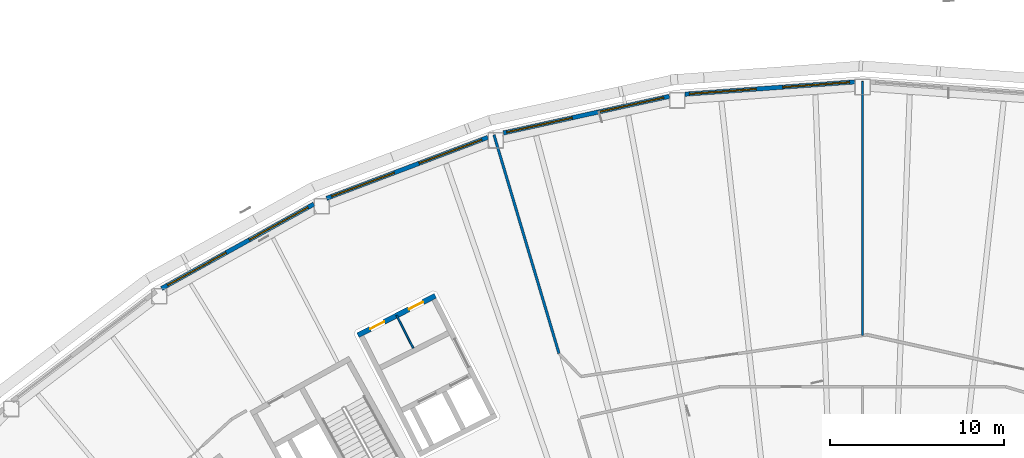
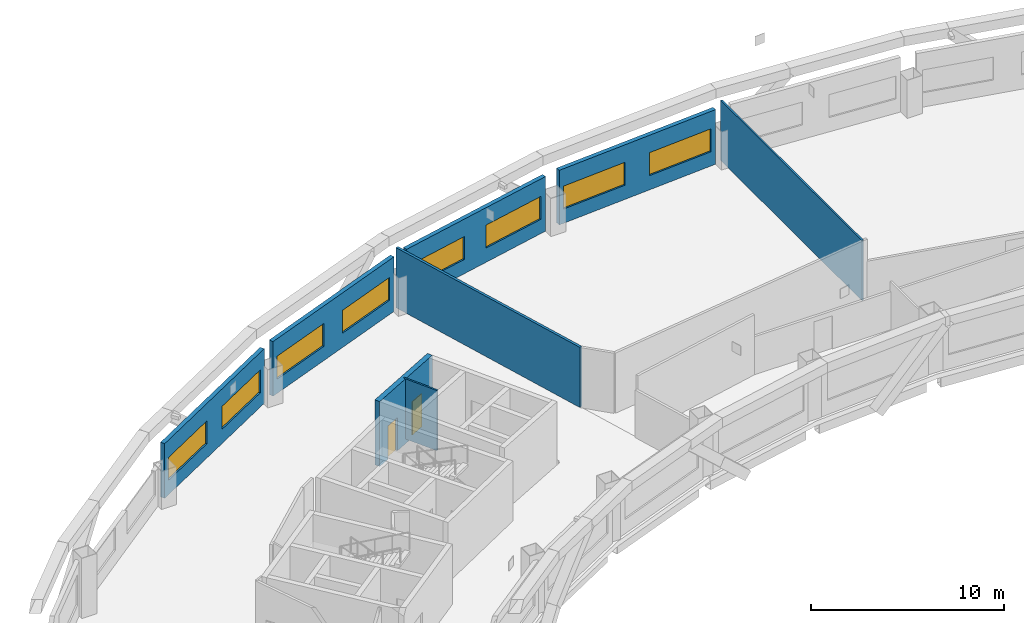
# One storey, part 7 of 20: 8 walls, 8 windows, 2 doors, 10 openings.
"""IFC4 building model written with IfcOpenShell, lengths in metres."""

from ifc_helpers import new_model, si_unit, direction, frame, frame_2d, origin, place, context, subcontext, project, spatial, rectangle, extrude, material, layer, layer_set, type_object, element, fill, save


model = new_model("IFC4")

# Units and contexts
model_context = context("Model", 3, precision=1e-05, world=origin(), true_north=direction((0.0, 1.0)))
body_context = subcontext(model_context, "Body", "Model", "MODEL_VIEW")
ifc_project = project(units=[si_unit("LENGTHUNIT", "METRE"), si_unit("AREAUNIT", "SQUARE_METRE"), si_unit("VOLUMEUNIT", "CUBIC_METRE"), si_unit("PLANEANGLEUNIT", "RADIAN"), si_unit("MASSUNIT", "GRAM", prefix="KILO")], contexts=[model_context])

# Site, building, storey
site_placement = place(None, origin())
site = spatial("IfcSite", under=ifc_project, at=site_placement, CompositionType="ELEMENT")
building_placement = place(site_placement, origin())
building = spatial("IfcBuilding", under=site, at=building_placement, Name="Tuul Gate Civic Tower", CompositionType="ELEMENT")
storey_placement = place(building_placement, frame((0.0, 0.0, 197.300048828125)))
storey = spatial("IfcBuildingStorey", under=building, at=storey_placement, Name="Level 45", CompositionType="ELEMENT", Elevation=197.300048828125)

# Wall
ifc_material_1 = material(Name="Gypsum board partition")
ifc_layer_1 = layer(ifc_material_1, 0.14990234375)
ifc_layer_set_1 = layer_set([ifc_layer_1], Name="Gypsum board partition")
wall_type_1 = type_object("IfcWallType", Name="Corridor wall P150", PredefinedType="PARTITIONING", material=ifc_layer_set_1)
wall_1_placement = place(storey_placement, frame((-20.18115234375, 10.863525390625, 0.0), z_axis=(0.0, 0.0, 1.0), x_axis=(0.285216495804, -0.95846311902, 0.0)))
element("IfcWall", 1, at=wall_1_placement, inside=storey, type_object=wall_type_1, Name="p027", PredefinedType="PARTITIONING", context=body_context, shape_type="SweptSolid", body=[
    extrude(rectangle(XDim=13.09814453125, YDim=0.14990234375, at=frame_2d((6.549072265625, 0.0))), origin(), (0.0, 0.0, 1.0), 3.800048828125),
])

# Wall, openings, windows
ifc_material_2 = material(Name="Precast concrete C40/50", Category="concrete")
ifc_layer_2 = layer(ifc_material_2, 0.25)
ifc_layer_set_2 = layer_set([ifc_layer_2], Name="Precast concrete C40/50")
wall_type_2 = type_object("IfcWallType", Name="External wall", PredefinedType="STANDARD", material=ifc_layer_set_2)
wall_2_placement = place(storey_placement, frame((0.5400390625, 13.9091796875, 0.0), z_axis=(0.0, 0.0, 1.0), x_axis=(-0.997386439479, -0.072251576758, 0.0)))
wall_2 = element("IfcWall", 2, at=wall_2_placement, inside=storey, type_object=wall_type_2, Name="External wall", PredefinedType="STANDARD", context=body_context, shape_type="SweptSolid", body=[
    extrude(rectangle(XDim=9.775634765625, YDim=0.25, at=frame_2d((4.8876953125, 0.0))), origin(), (0.0, 0.0, 1.0), 3.449951171875),
])
opening_1_placement = place(wall_2_placement, frame((0.301025390625, 0.0, 0.89990234375)))
opening_1 = element("IfcOpeningElement", 3, at=opening_1_placement, cuts=wall_2, Name="Opening W103", PredefinedType="OPENING", context=body_context, shape_type="SweptSolid", body=[
    extrude(rectangle(XDim=3.85009765625, YDim=1.449951171875, at=frame_2d((1.925048828125, 0.72509765625))), frame((0.0, 0.135009765625, 0.0), z_axis=(0.0, -1.0, 0.0), x_axis=(1.0, 0.0, 0.0)), (0.0, 0.0, 1.0), 0.27001953125),
])
opening_2_placement = place(wall_2_placement, frame((5.672119140625, 0.0, 0.89990234375)))
opening_2 = element("IfcOpeningElement", 4, at=opening_2_placement, cuts=wall_2, Name="Opening W103", PredefinedType="OPENING", context=body_context, shape_type="SweptSolid", body=[
    extrude(rectangle(XDim=3.85009765625, YDim=1.449951171875, at=frame_2d((1.925048828125, 0.72509765625))), frame((0.0, 0.135009765625, 0.0), z_axis=(0.0, -1.0, 0.0), x_axis=(1.0, 0.0, 0.0)), (0.0, 0.0, 1.0), 0.27001953125),
])
ifc_material_3 = material(Name="Glass", Category="glass")
window_type = type_object("IfcWindowType", Name="Window W103 3850 x 1450", PartitioningType="SINGLE_PANEL", PredefinedType="WINDOW", material=ifc_material_3)
window_1_placement = place(opening_1_placement, origin())
window_1 = element("IfcWindow", 5, at=window_1_placement, inside=storey, type_object=window_type, Name="Window", OverallHeight=1.449951171875, OverallWidth=3.85009765625, PartitioningType="SINGLE_PANEL", PredefinedType="WINDOW", context=body_context, shape_type="SweptSolid", body=[
    extrude(rectangle(XDim=3.85009765625, YDim=1.449951171875, at=frame_2d((1.925048828125, 0.72509765625))), frame((0.0, 0.030029296875, 0.0), z_axis=(0.0, -1.0, 0.0), x_axis=(1.0, 0.0, 0.0)), (0.0, 0.0, 1.0), 0.06005859375),
])
fill(opening_1, window_1)
window_2_placement = place(opening_2_placement, origin())
window_2 = element("IfcWindow", 6, at=window_2_placement, inside=storey, type_object=window_type, Name="Window", OverallHeight=1.449951171875, OverallWidth=3.85009765625, PartitioningType="SINGLE_PANEL", PredefinedType="WINDOW", context=body_context, shape_type="SweptSolid", body=[
    extrude(rectangle(XDim=3.85009765625, YDim=1.449951171875, at=frame_2d((1.925048828125, 0.72509765625))), frame((0.0, 0.030029296875, 0.0), z_axis=(0.0, -1.0, 0.0), x_axis=(1.0, 0.0, 0.0)), (0.0, 0.0, 1.0), 0.06005859375),
])
fill(opening_2, window_2)

wall_3_placement = place(storey_placement, frame((-10.110107421875, 13.078125, 0.0), z_axis=(0.0, 0.0, 1.0), x_axis=(-0.976559525993, -0.215247513789, 0.0)))
wall_3 = element("IfcWall", 7, at=wall_3_placement, inside=storey, type_object=wall_type_2, Name="External wall", PredefinedType="STANDARD", context=body_context, shape_type="SweptSolid", body=[
    extrude(rectangle(XDim=9.755615234375, YDim=0.25, at=frame_2d((4.8779296875, 0.0))), origin(), (0.0, 0.0, 1.0), 3.449951171875),
])
opening_3_placement = place(wall_3_placement, frame((0.339111328125, 0.0, 0.89990234375)))
opening_3 = element("IfcOpeningElement", 8, at=opening_3_placement, cuts=wall_3, Name="Opening W103", PredefinedType="OPENING", context=body_context, shape_type="SweptSolid", body=[
    extrude(rectangle(XDim=3.85009765625, YDim=1.449951171875, at=frame_2d((1.925048828125, 0.72509765625))), frame((0.0, 0.135009765625, 0.0), z_axis=(0.0, -1.0, 0.0), x_axis=(1.0, 0.0, 0.0)), (0.0, 0.0, 1.0), 0.27001953125),
])
opening_4_placement = place(wall_3_placement, frame((5.7099609375, 0.0, 0.89990234375)))
opening_4 = element("IfcOpeningElement", 9, at=opening_4_placement, cuts=wall_3, Name="Opening W103", PredefinedType="OPENING", context=body_context, shape_type="SweptSolid", body=[
    extrude(rectangle(XDim=3.85009765625, YDim=1.449951171875, at=frame_2d((1.925048828125, 0.72509765625))), frame((0.0, 0.135009765625, 0.0), z_axis=(0.0, -1.0, 0.0), x_axis=(1.0, 0.0, 0.0)), (0.0, 0.0, 1.0), 0.27001953125),
])
window_3_placement = place(opening_3_placement, origin())
window_3 = element("IfcWindow", 10, at=window_3_placement, inside=storey, type_object=window_type, Name="Window", OverallHeight=1.449951171875, OverallWidth=3.85009765625, PartitioningType="SINGLE_PANEL", PredefinedType="WINDOW", context=body_context, shape_type="SweptSolid", body=[
    extrude(rectangle(XDim=3.85009765625, YDim=1.449951171875, at=frame_2d((1.925048828125, 0.72509765625))), frame((0.0, 0.030029296875, 0.0), z_axis=(0.0, -1.0, 0.0), x_axis=(1.0, 0.0, 0.0)), (0.0, 0.0, 1.0), 0.06005859375),
])
fill(opening_3, window_3)
window_4_placement = place(opening_4_placement, origin())
window_4 = element("IfcWindow", 11, at=window_4_placement, inside=storey, type_object=window_type, Name="Window", OverallHeight=1.449951171875, OverallWidth=3.85009765625, PartitioningType="SINGLE_PANEL", PredefinedType="WINDOW", context=body_context, shape_type="SweptSolid", body=[
    extrude(rectangle(XDim=3.85009765625, YDim=1.449951171875, at=frame_2d((1.925048828125, 0.72509765625))), frame((0.0, 0.030029296875, 0.0), z_axis=(0.0, -1.0, 0.0), x_axis=(1.0, 0.0, 0.0)), (0.0, 0.0, 1.0), 0.06005859375),
])
fill(opening_4, window_4)

wall_4_placement = place(storey_placement, frame((-20.537109375, 10.7236328125, 0.0), z_axis=(0.0, 0.0, 1.0), x_axis=(-0.935342915264, -0.353742322694, 0.0)))
wall_4 = element("IfcWall", 12, at=wall_4_placement, inside=storey, type_object=wall_type_2, Name="External wall", PredefinedType="STANDARD", context=body_context, shape_type="SweptSolid", body=[
    extrude(rectangle(XDim=9.904541015625, YDim=0.25, at=frame_2d((4.9521484375, 0.0))), origin(), (0.0, 0.0, 1.0), 3.449951171875),
])
opening_5_placement = place(wall_4_placement, frame((0.368896484375, 0.0, 0.89990234375)))
opening_5 = element("IfcOpeningElement", 13, at=opening_5_placement, cuts=wall_4, Name="Opening W103", PredefinedType="OPENING", context=body_context, shape_type="SweptSolid", body=[
    extrude(rectangle(XDim=3.85009765625, YDim=1.449951171875, at=frame_2d((1.925048828125, 0.72509765625))), frame((0.0, 0.135009765625, 0.0), z_axis=(0.0, -1.0, 0.0), x_axis=(1.0, 0.0, 0.0)), (0.0, 0.0, 1.0), 0.27001953125),
])
opening_6_placement = place(wall_4_placement, frame((5.739990234375, 0.0, 0.89990234375)))
opening_6 = element("IfcOpeningElement", 14, at=opening_6_placement, cuts=wall_4, Name="Opening W103", PredefinedType="OPENING", context=body_context, shape_type="SweptSolid", body=[
    extrude(rectangle(XDim=3.85009765625, YDim=1.449951171875, at=frame_2d((1.925048828125, 0.72509765625))), frame((0.0, 0.135009765625, 0.0), z_axis=(0.0, -1.0, 0.0), x_axis=(1.0, 0.0, 0.0)), (0.0, 0.0, 1.0), 0.27001953125),
])
window_5_placement = place(opening_5_placement, origin())
window_5 = element("IfcWindow", 15, at=window_5_placement, inside=storey, type_object=window_type, Name="Window", OverallHeight=1.449951171875, OverallWidth=3.85009765625, PartitioningType="SINGLE_PANEL", PredefinedType="WINDOW", context=body_context, shape_type="SweptSolid", body=[
    extrude(rectangle(XDim=3.85009765625, YDim=1.449951171875, at=frame_2d((1.925048828125, 0.72509765625))), frame((0.0, 0.030029296875, 0.0), z_axis=(0.0, -1.0, 0.0), x_axis=(1.0, 0.0, 0.0)), (0.0, 0.0, 1.0), 0.06005859375),
])
fill(opening_5, window_5)
window_6_placement = place(opening_6_placement, origin())
window_6 = element("IfcWindow", 16, at=window_6_placement, inside=storey, type_object=window_type, Name="Window", OverallHeight=1.449951171875, OverallWidth=3.85009765625, PartitioningType="SINGLE_PANEL", PredefinedType="WINDOW", context=body_context, shape_type="SweptSolid", body=[
    extrude(rectangle(XDim=3.85009765625, YDim=1.449951171875, at=frame_2d((1.925048828125, 0.72509765625))), frame((0.0, 0.030029296875, 0.0), z_axis=(0.0, -1.0, 0.0), x_axis=(1.0, 0.0, 0.0)), (0.0, 0.0, 1.0), 0.06005859375),
])
fill(opening_6, window_6)

wall_5_placement = place(storey_placement, frame((-30.52392578125, 6.891357421875, 0.0), z_axis=(0.0, 0.0, 1.0), x_axis=(-0.874633566806, -0.484784615903, 0.0)))
wall_5 = element("IfcWall", 17, at=wall_5_placement, inside=storey, type_object=wall_type_2, Name="External wall", PredefinedType="STANDARD", context=body_context, shape_type="SweptSolid", body=[
    extrude(rectangle(XDim=10.001220703125, YDim=0.25, at=frame_2d((5.00048828125, 0.0))), origin(), (0.0, 0.0, 1.0), 3.449951171875),
])
opening_7_placement = place(wall_5_placement, frame((0.39306640625, 0.0, 0.89990234375)))
opening_7 = element("IfcOpeningElement", 18, at=opening_7_placement, cuts=wall_5, Name="Opening W103", PredefinedType="OPENING", context=body_context, shape_type="SweptSolid", body=[
    extrude(rectangle(XDim=3.85009765625, YDim=1.449951171875, at=frame_2d((1.925048828125, 0.72509765625))), frame((0.0, 0.135009765625, 0.0), z_axis=(0.0, -1.0, 0.0), x_axis=(1.0, 0.0, 0.0)), (0.0, 0.0, 1.0), 0.27001953125),
])
opening_8_placement = place(wall_5_placement, frame((5.763916015625, 0.0, 0.89990234375)))
opening_8 = element("IfcOpeningElement", 19, at=opening_8_placement, cuts=wall_5, Name="Opening W103", PredefinedType="OPENING", context=body_context, shape_type="SweptSolid", body=[
    extrude(rectangle(XDim=3.85009765625, YDim=1.449951171875, at=frame_2d((1.925048828125, 0.72509765625))), frame((0.0, 0.135009765625, 0.0), z_axis=(0.0, -1.0, 0.0), x_axis=(1.0, 0.0, 0.0)), (0.0, 0.0, 1.0), 0.27001953125),
])
window_7_placement = place(opening_7_placement, origin())
window_7 = element("IfcWindow", 20, at=window_7_placement, inside=storey, type_object=window_type, Name="Window", OverallHeight=1.449951171875, OverallWidth=3.85009765625, PartitioningType="SINGLE_PANEL", PredefinedType="WINDOW", context=body_context, shape_type="SweptSolid", body=[
    extrude(rectangle(XDim=3.85009765625, YDim=1.449951171875, at=frame_2d((1.925048828125, 0.72509765625))), frame((0.0, 0.030029296875, 0.0), z_axis=(0.0, -1.0, 0.0), x_axis=(1.0, 0.0, 0.0)), (0.0, 0.0, 1.0), 0.06005859375),
])
fill(opening_7, window_7)
window_8_placement = place(opening_8_placement, origin())
window_8 = element("IfcWindow", 21, at=window_8_placement, inside=storey, type_object=window_type, Name="Window", OverallHeight=1.449951171875, OverallWidth=3.85009765625, PartitioningType="SINGLE_PANEL", PredefinedType="WINDOW", context=body_context, shape_type="SweptSolid", body=[
    extrude(rectangle(XDim=3.85009765625, YDim=1.449951171875, at=frame_2d((1.925048828125, 0.72509765625))), frame((0.0, 0.030029296875, 0.0), z_axis=(0.0, -1.0, 0.0), x_axis=(1.0, 0.0, 0.0)), (0.0, 0.0, 1.0), 0.06005859375),
])
fill(opening_8, window_8)

# Wall, openings, doors
ifc_material_4 = material(Name="Concrete C40/50", Category="concrete")
ifc_layer_3 = layer(ifc_material_4, 0.300048828125)
ifc_layer_set_3 = layer_set([ifc_layer_3], Name="Concrete C40/50")
wall_type_3 = type_object("IfcWallType", Name="Lift shaft wall C40/50", PredefinedType="STANDARD", material=ifc_layer_set_3)
wall_6_placement = place(storey_placement, frame((-23.544921875, 1.62841796875, -0.300048828125), z_axis=(0.0, 0.0, 1.0), x_axis=(-0.891002976909, -0.453997461601, 0.0)))
wall_6 = element("IfcWall", 22, at=wall_6_placement, inside=storey, type_object=wall_type_3, Name="Shaft wall", PredefinedType="STANDARD", context=body_context, shape_type="SweptSolid", body=[
    extrude(rectangle(XDim=5.0, YDim=0.300048828125, at=frame_2d((2.5, 0.0))), origin(), (0.0, 0.0, 1.0), 4.10009765625),
])
opening_9_placement = place(wall_6_placement, frame((0.800048828125, 0.0, 0.0)))
opening_9 = element("IfcOpeningElement", 23, at=opening_9_placement, cuts=wall_6, Name="Opening P-D17", PredefinedType="OPENING", context=body_context, shape_type="SweptSolid", body=[
    extrude(rectangle(XDim=0.89990234375, YDim=2.10009765625, at=frame_2d((0.449951171875, 1.050048828125))), frame((0.0, 0.16015625, 0.0), z_axis=(0.0, -1.0, 0.0), x_axis=(1.0, 0.0, 0.0)), (0.0, 0.0, 1.0), 0.320068359375),
])
opening_10_placement = place(wall_6_placement, frame((3.300048828125, 0.0, 0.0)))
opening_10 = element("IfcOpeningElement", 24, at=opening_10_placement, cuts=wall_6, Name="Opening P-D18", PredefinedType="OPENING", context=body_context, shape_type="SweptSolid", body=[
    extrude(rectangle(XDim=0.89990234375, YDim=2.10009765625, at=frame_2d((0.449951171875, 1.050048828125))), frame((0.0, 0.16015625, 0.0), z_axis=(0.0, -1.0, 0.0), x_axis=(1.0, 0.0, 0.0)), (0.0, 0.0, 1.0), 0.320068359375),
])
ifc_material_5 = material(Name="Timber door leaf", Category="wood")
door_type = type_object("IfcDoorType", Name="Door D09", OperationType="NOTDEFINED", PredefinedType="DOOR", material=ifc_material_5)
door_1_placement = place(opening_9_placement, origin())
door_1 = element("IfcDoor", 25, at=door_1_placement, inside=storey, type_object=door_type, Name="Door P-D17", OperationType="SINGLE_SWING_RIGHT", OverallHeight=2.10009765625, OverallWidth=0.89990234375, PredefinedType="DOOR", context=body_context, shape_type="SweptSolid", body=[
    extrude(rectangle(XDim=0.89990234375, YDim=2.10009765625, at=frame_2d((0.449951171875, 1.050048828125))), frame((0.0, 0.02490234375, 0.0), z_axis=(0.0, -1.0, 0.0), x_axis=(1.0, 0.0, 0.0)), (0.0, 0.0, 1.0), 0.050048828125),
])
fill(opening_9, door_1)
door_2_placement = place(opening_10_placement, origin())
door_2 = element("IfcDoor", 26, at=door_2_placement, inside=storey, type_object=door_type, Name="Door P-D18", OperationType="SINGLE_SWING_LEFT", OverallHeight=2.10009765625, OverallWidth=0.89990234375, PredefinedType="DOOR", context=body_context, shape_type="SweptSolid", body=[
    extrude(rectangle(XDim=0.89990234375, YDim=2.10009765625, at=frame_2d((0.449951171875, 1.050048828125))), frame((0.0, 0.02490234375, 0.0), z_axis=(0.0, -1.0, 0.0), x_axis=(1.0, 0.0, 0.0)), (0.0, 0.0, 1.0), 0.050048828125),
])
fill(opening_10, door_2)

# Walls
ifc_material_6 = material(Name="Gypsum board partition")
ifc_layer_4 = layer(ifc_material_6, 0.10009765625)
ifc_layer_set_4 = layer_set([ifc_layer_4], Name="Gypsum board partition")
wall_type_4 = type_object("IfcWallType", Name="Partition P100", PredefinedType="PARTITIONING", material=ifc_layer_set_4)
wall_7_placement = place(storey_placement, frame((0.989990234375, -0.652587890625, 0.0), z_axis=(0.0, 0.0, 1.0), x_axis=(0.0, 1.0, 0.0)))
element("IfcWall", 27, at=wall_7_placement, inside=storey, type_object=wall_type_4, Name="p013", PredefinedType="PARTITIONING", context=body_context, shape_type="SweptSolid", body=[
    extrude(rectangle(XDim=14.599365234375, YDim=0.10009765625, at=frame_2d((7.2998046875, 0.0))), origin(), (0.0, 0.0, 1.0), 3.800048828125),
])
wall_8_placement = place(storey_placement, frame((-24.819091796875, -1.377685546875, 0.0), z_axis=(0.0, 0.0, 1.0), x_axis=(-0.453990218702, 0.891006667384, 0.0)))
element("IfcWall", 28, at=wall_8_placement, inside=storey, type_object=wall_type_4, Name="bW3-BAND-0", PredefinedType="PARTITIONING", context=body_context, shape_type="SweptSolid", body=[
    extrude(rectangle(XDim=2.10009765625, YDim=0.10009765625, at=frame_2d((1.050048828125, 0.0))), origin(), (0.0, 0.0, 1.0), 3.800048828125),
])

save(model, "model.ifc")
